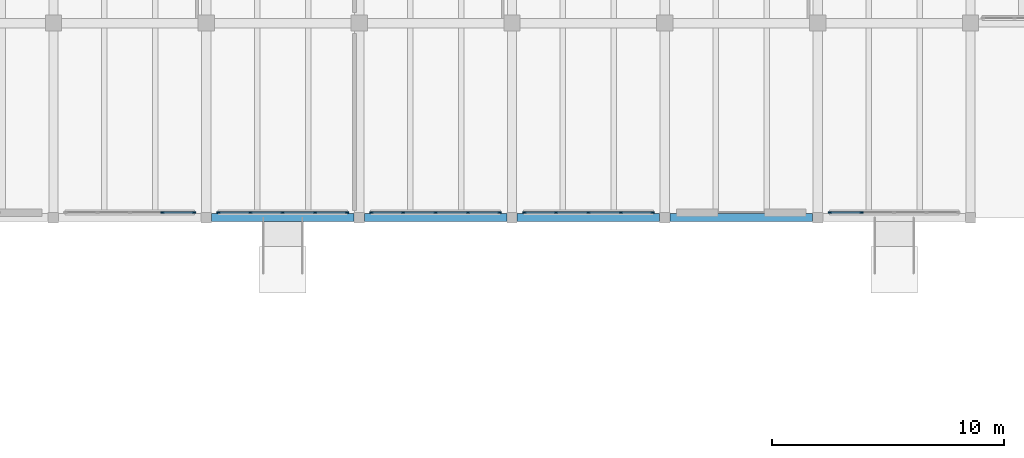
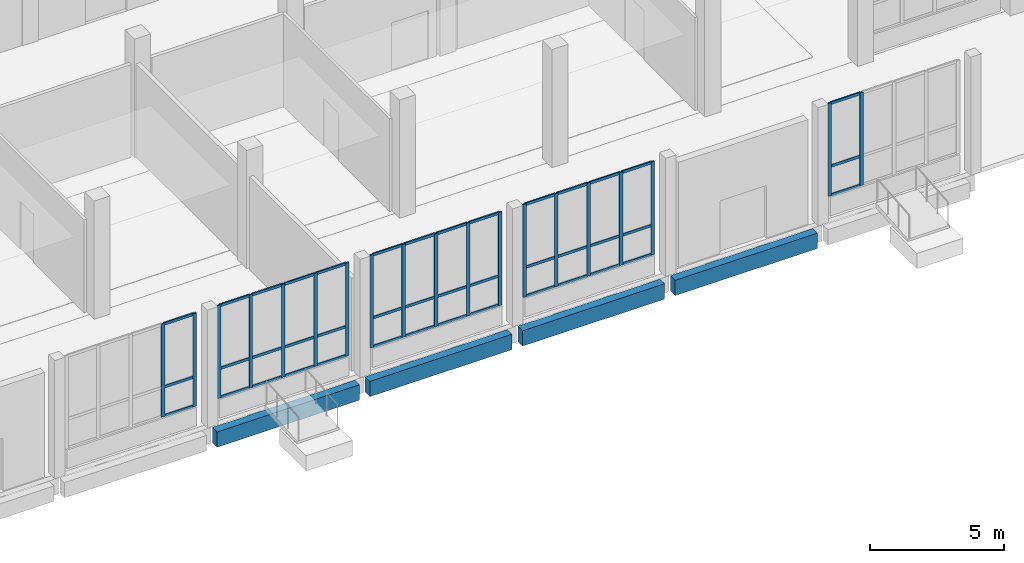
# One storey, part 11 of 64: 61 members, 4 beams, 5 elements without a shape of their own.
"""IFC4 building model written with IfcOpenShell, lengths in metres."""

from ifc_helpers import new_model, si_unit, direction, frame, origin, origin_2d, place, context, subcontext, project, spatial, rectangle, extrude, material, material_profile, profile_set, type_object, element, aggregate, save


model = new_model("IFC4")

# Units and contexts
model_context = context("Model", 3, precision=1e-05, world=origin(), true_north=direction((0.0, 1.0)))
body_context = subcontext(model_context, "Body", "Model", "MODEL_VIEW")
ifc_project = project(units=[si_unit("LENGTHUNIT", "METRE"), si_unit("AREAUNIT", "SQUARE_METRE"), si_unit("VOLUMEUNIT", "CUBIC_METRE"), si_unit("PLANEANGLEUNIT", "RADIAN"), si_unit("MASSUNIT", "GRAM", prefix="KILO")], contexts=[model_context])

# Site, building, storey
site_placement = place(None, origin())
site = spatial("IfcSite", under=ifc_project, at=site_placement, CompositionType="ELEMENT")
building_placement = place(site_placement, origin())
building = spatial("IfcBuilding", under=site, at=building_placement, Name="Qaldarim Faculty of Natural and Applied Sciences", CompositionType="ELEMENT")
storey_placement = place(building_placement, origin())
storey = spatial("IfcBuildingStorey", under=building, at=storey_placement, Name="L00", CompositionType="ELEMENT", Elevation=0.0)

# Curtain wall, members
ifc_material_1 = material(Name="Anodised aluminium AW-6063", Category="aluminium")
curtain_wall_type = type_object("IfcCurtainWallType", Name="CurtainWallSystem-M1400", PredefinedType="USERDEFINED", material=ifc_material_1)
curtain_wall_1_placement = place(storey_placement, origin())
curtain_wall_1 = element("IfcCurtainWall", 1, at=curtain_wall_1_placement, inside=storey, type_object=curtain_wall_type, Name="Curtain wall CW-V4RIB-L00-X10", ObjectType="STICK CURTAIN WALL", PredefinedType="USERDEFINED")
ifc_material_profile_1 = material_profile(ifc_material_1, rectangle(XDim=0.06005859375, YDim=0.14990234375, at=origin_2d()), Name="ALU-M60x150")
ifc_profile_set_1 = profile_set([ifc_material_profile_1], Name="Anodised aluminium AW-6063")
member_type_1 = type_object("IfcMemberType", Name="Mullion-ALU60x150", PredefinedType="MULLION", material=ifc_profile_set_1)
member_1_placement = place(storey_placement, frame((64.10009765625, 92.6201171875, 0.85009765625), z_axis=(0.0, 0.0, 1.0), x_axis=(0.0, 1.0, 0.0)))
member_1 = element("IfcMember", 2, at=member_1_placement, type_object=member_type_1, Name="Mullion 4 of CW-V4RIB-L00-X10", PredefinedType="MULLION", context=body_context, shape_type="SweptSolid", body=[
    extrude(rectangle(XDim=0.06005859375, YDim=0.14990234375, at=origin_2d()), origin(), (0.0, 0.0, 1.0), 4.25),
])
member_2_placement = place(storey_placement, frame((65.469970703125, 92.6201171875, 0.85009765625), z_axis=(0.0, 0.0, 1.0), x_axis=(0.0, 1.0, 0.0)))
member_2 = element("IfcMember", 3, at=member_2_placement, type_object=member_type_1, Name="Mullion 5 of CW-V4RIB-L00-X10", PredefinedType="MULLION", context=body_context, shape_type="SweptSolid", body=[
    extrude(rectangle(XDim=0.06005859375, YDim=0.14990234375, at=origin_2d()), origin(), (0.0, 0.0, 1.0), 4.25),
])

curtain_wall_2_placement = place(storey_placement, origin())
curtain_wall_2 = element("IfcCurtainWall", 4, at=curtain_wall_2_placement, inside=storey, type_object=curtain_wall_type, Name="Curtain wall CW-V4RIB-L00-X11", ObjectType="STICK CURTAIN WALL", PredefinedType="USERDEFINED")
member_3_placement = place(storey_placement, frame((66.530029296875, 92.6201171875, 0.85009765625), z_axis=(0.0, 0.0, 1.0), x_axis=(0.0, 1.0, 0.0)))
member_3 = element("IfcMember", 5, at=member_3_placement, type_object=member_type_1, Name="Mullion 1 of CW-V4RIB-L00-X11", PredefinedType="MULLION", context=body_context, shape_type="SweptSolid", body=[
    extrude(rectangle(XDim=0.06005859375, YDim=0.14990234375, at=origin_2d()), origin(), (0.0, 0.0, 1.0), 4.25),
])
member_4_placement = place(storey_placement, frame((67.89990234375, 92.6201171875, 0.85009765625), z_axis=(0.0, 0.0, 1.0), x_axis=(0.0, 1.0, 0.0)))
member_4 = element("IfcMember", 6, at=member_4_placement, type_object=member_type_1, Name="Mullion 2 of CW-V4RIB-L00-X11", PredefinedType="MULLION", context=body_context, shape_type="SweptSolid", body=[
    extrude(rectangle(XDim=0.06005859375, YDim=0.14990234375, at=origin_2d()), origin(), (0.0, 0.0, 1.0), 4.25),
])
member_5_placement = place(storey_placement, frame((69.300048828125, 92.6201171875, 0.85009765625), z_axis=(0.0, 0.0, 1.0), x_axis=(0.0, 1.0, 0.0)))
member_5 = element("IfcMember", 7, at=member_5_placement, type_object=member_type_1, Name="Mullion 3 of CW-V4RIB-L00-X11", PredefinedType="MULLION", context=body_context, shape_type="SweptSolid", body=[
    extrude(rectangle(XDim=0.06005859375, YDim=0.14990234375, at=origin_2d()), origin(), (0.0, 0.0, 1.0), 4.25),
])
member_6_placement = place(storey_placement, frame((70.699951171875, 92.6201171875, 0.85009765625), z_axis=(0.0, 0.0, 1.0), x_axis=(0.0, 1.0, 0.0)))
member_6 = element("IfcMember", 8, at=member_6_placement, type_object=member_type_1, Name="Mullion 4 of CW-V4RIB-L00-X11", PredefinedType="MULLION", context=body_context, shape_type="SweptSolid", body=[
    extrude(rectangle(XDim=0.06005859375, YDim=0.14990234375, at=origin_2d()), origin(), (0.0, 0.0, 1.0), 4.25),
])
member_7_placement = place(storey_placement, frame((72.070068359375, 92.6201171875, 0.85009765625), z_axis=(0.0, 0.0, 1.0), x_axis=(0.0, 1.0, 0.0)))
member_7 = element("IfcMember", 9, at=member_7_placement, type_object=member_type_1, Name="Mullion 5 of CW-V4RIB-L00-X11", PredefinedType="MULLION", context=body_context, shape_type="SweptSolid", body=[
    extrude(rectangle(XDim=0.06005859375, YDim=0.14990234375, at=origin_2d()), origin(), (0.0, 0.0, 1.0), 4.25),
])

curtain_wall_3_placement = place(storey_placement, origin())
curtain_wall_3 = element("IfcCurtainWall", 10, at=curtain_wall_3_placement, inside=storey, type_object=curtain_wall_type, Name="Curtain wall CW-V4RIB-L00-X12", ObjectType="STICK CURTAIN WALL", PredefinedType="USERDEFINED")
member_8_placement = place(storey_placement, frame((73.1298828125, 92.6201171875, 0.85009765625), z_axis=(0.0, 0.0, 1.0), x_axis=(0.0, 1.0, 0.0)))
member_8 = element("IfcMember", 11, at=member_8_placement, type_object=member_type_1, Name="Mullion 1 of CW-V4RIB-L00-X12", PredefinedType="MULLION", context=body_context, shape_type="SweptSolid", body=[
    extrude(rectangle(XDim=0.06005859375, YDim=0.14990234375, at=origin_2d()), origin(), (0.0, 0.0, 1.0), 4.25),
])
member_9_placement = place(storey_placement, frame((74.5, 92.6201171875, 0.85009765625), z_axis=(0.0, 0.0, 1.0), x_axis=(0.0, 1.0, 0.0)))
member_9 = element("IfcMember", 12, at=member_9_placement, type_object=member_type_1, Name="Mullion 2 of CW-V4RIB-L00-X12", PredefinedType="MULLION", context=body_context, shape_type="SweptSolid", body=[
    extrude(rectangle(XDim=0.06005859375, YDim=0.14990234375, at=origin_2d()), origin(), (0.0, 0.0, 1.0), 4.25),
])
member_10_placement = place(storey_placement, frame((75.89990234375, 92.6201171875, 0.85009765625), z_axis=(0.0, 0.0, 1.0), x_axis=(0.0, 1.0, 0.0)))
member_10 = element("IfcMember", 13, at=member_10_placement, type_object=member_type_1, Name="Mullion 3 of CW-V4RIB-L00-X12", PredefinedType="MULLION", context=body_context, shape_type="SweptSolid", body=[
    extrude(rectangle(XDim=0.06005859375, YDim=0.14990234375, at=origin_2d()), origin(), (0.0, 0.0, 1.0), 4.25),
])
member_11_placement = place(storey_placement, frame((77.300048828125, 92.6201171875, 0.85009765625), z_axis=(0.0, 0.0, 1.0), x_axis=(0.0, 1.0, 0.0)))
member_11 = element("IfcMember", 14, at=member_11_placement, type_object=member_type_1, Name="Mullion 4 of CW-V4RIB-L00-X12", PredefinedType="MULLION", context=body_context, shape_type="SweptSolid", body=[
    extrude(rectangle(XDim=0.06005859375, YDim=0.14990234375, at=origin_2d()), origin(), (0.0, 0.0, 1.0), 4.25),
])
member_12_placement = place(storey_placement, frame((78.669921875, 92.6201171875, 0.85009765625), z_axis=(0.0, 0.0, 1.0), x_axis=(0.0, 1.0, 0.0)))
member_12 = element("IfcMember", 15, at=member_12_placement, type_object=member_type_1, Name="Mullion 5 of CW-V4RIB-L00-X12", PredefinedType="MULLION", context=body_context, shape_type="SweptSolid", body=[
    extrude(rectangle(XDim=0.06005859375, YDim=0.14990234375, at=origin_2d()), origin(), (0.0, 0.0, 1.0), 4.25),
])

curtain_wall_4_placement = place(storey_placement, origin())
curtain_wall_4 = element("IfcCurtainWall", 16, at=curtain_wall_4_placement, inside=storey, type_object=curtain_wall_type, Name="Curtain wall CW-V4RIB-L00-X13", ObjectType="STICK CURTAIN WALL", PredefinedType="USERDEFINED")
member_13_placement = place(storey_placement, frame((79.72998046875, 92.6201171875, 0.85009765625), z_axis=(0.0, 0.0, 1.0), x_axis=(0.0, 1.0, 0.0)))
member_13 = element("IfcMember", 17, at=member_13_placement, type_object=member_type_1, Name="Mullion 1 of CW-V4RIB-L00-X13", PredefinedType="MULLION", context=body_context, shape_type="SweptSolid", body=[
    extrude(rectangle(XDim=0.06005859375, YDim=0.14990234375, at=origin_2d()), origin(), (0.0, 0.0, 1.0), 4.25),
])
member_14_placement = place(storey_placement, frame((81.10009765625, 92.6201171875, 0.85009765625), z_axis=(0.0, 0.0, 1.0), x_axis=(0.0, 1.0, 0.0)))
member_14 = element("IfcMember", 18, at=member_14_placement, type_object=member_type_1, Name="Mullion 2 of CW-V4RIB-L00-X13", PredefinedType="MULLION", context=body_context, shape_type="SweptSolid", body=[
    extrude(rectangle(XDim=0.06005859375, YDim=0.14990234375, at=origin_2d()), origin(), (0.0, 0.0, 1.0), 4.25),
])
member_15_placement = place(storey_placement, frame((82.5, 92.6201171875, 0.85009765625), z_axis=(0.0, 0.0, 1.0), x_axis=(0.0, 1.0, 0.0)))
member_15 = element("IfcMember", 19, at=member_15_placement, type_object=member_type_1, Name="Mullion 3 of CW-V4RIB-L00-X13", PredefinedType="MULLION", context=body_context, shape_type="SweptSolid", body=[
    extrude(rectangle(XDim=0.06005859375, YDim=0.14990234375, at=origin_2d()), origin(), (0.0, 0.0, 1.0), 4.25),
])
member_16_placement = place(storey_placement, frame((83.89990234375, 92.6201171875, 0.85009765625), z_axis=(0.0, 0.0, 1.0), x_axis=(0.0, 1.0, 0.0)))
member_16 = element("IfcMember", 20, at=member_16_placement, type_object=member_type_1, Name="Mullion 4 of CW-V4RIB-L00-X13", PredefinedType="MULLION", context=body_context, shape_type="SweptSolid", body=[
    extrude(rectangle(XDim=0.06005859375, YDim=0.14990234375, at=origin_2d()), origin(), (0.0, 0.0, 1.0), 4.25),
])
member_17_placement = place(storey_placement, frame((85.27001953125, 92.6201171875, 0.85009765625), z_axis=(0.0, 0.0, 1.0), x_axis=(0.0, 1.0, 0.0)))
member_17 = element("IfcMember", 21, at=member_17_placement, type_object=member_type_1, Name="Mullion 5 of CW-V4RIB-L00-X13", PredefinedType="MULLION", context=body_context, shape_type="SweptSolid", body=[
    extrude(rectangle(XDim=0.06005859375, YDim=0.14990234375, at=origin_2d()), origin(), (0.0, 0.0, 1.0), 4.25),
])

curtain_wall_5_placement = place(storey_placement, origin())
curtain_wall_5 = element("IfcCurtainWall", 22, at=curtain_wall_5_placement, inside=storey, type_object=curtain_wall_type, Name="Curtain wall CW-V4RIB-L00-X15", ObjectType="STICK CURTAIN WALL", PredefinedType="USERDEFINED")
member_18_placement = place(storey_placement, frame((92.929931640625, 92.6201171875, 0.85009765625), z_axis=(0.0, 0.0, 1.0), x_axis=(0.0, 1.0, 0.0)))
member_18 = element("IfcMember", 23, at=member_18_placement, type_object=member_type_1, Name="Mullion 1 of CW-V4RIB-L00-X15", PredefinedType="MULLION", context=body_context, shape_type="SweptSolid", body=[
    extrude(rectangle(XDim=0.06005859375, YDim=0.14990234375, at=origin_2d()), origin(), (0.0, 0.0, 1.0), 4.25),
])
member_19_placement = place(storey_placement, frame((94.300048828125, 92.6201171875, 0.85009765625), z_axis=(0.0, 0.0, 1.0), x_axis=(0.0, 1.0, 0.0)))
member_19 = element("IfcMember", 24, at=member_19_placement, type_object=member_type_1, Name="Mullion 2 of CW-V4RIB-L00-X15", PredefinedType="MULLION", context=body_context, shape_type="SweptSolid", body=[
    extrude(rectangle(XDim=0.06005859375, YDim=0.14990234375, at=origin_2d()), origin(), (0.0, 0.0, 1.0), 4.25),
])

# Beams
ifc_material_2 = material(Name="Concrete C40/50", Category="concrete")
ifc_material_profile_2 = material_profile(ifc_material_2, rectangle(XDim=0.35009765625, YDim=0.699951171875, at=origin_2d()), Name="RC-B350x700")
ifc_profile_set_2 = profile_set([ifc_material_profile_2], Name="Concrete C40/50")
beam_type = type_object("IfcBeamType", Name="PrimaryGirder-RC350x700", PredefinedType="BEAM", material=ifc_profile_set_2)
beam_1_placement = place(storey_placement, frame((66.22509765625, 92.39990234375, -0.7099609375), z_axis=(1.0, 0.0, 0.0), x_axis=(0.0, 1.0, 0.0)))
element("IfcBeam", 25, at=beam_1_placement, inside=storey, type_object=beam_type, Name="Beam RC-B350x700 B01 X11-X12/Y12", PredefinedType="BEAM", context=body_context, shape_type="SweptSolid", body=[
    extrude(rectangle(XDim=0.35009765625, YDim=0.699951171875, at=origin_2d()), origin(), (0.0, 0.0, 1.0), 6.14990234375),
])
beam_2_placement = place(storey_placement, frame((72.824951171875, 92.39990234375, -0.7099609375), z_axis=(1.0, 0.0, 0.0), x_axis=(0.0, 1.0, 0.0)))
element("IfcBeam", 26, at=beam_2_placement, inside=storey, type_object=beam_type, Name="Beam RC-B350x700 B01 X12-X13/Y12", PredefinedType="BEAM", context=body_context, shape_type="SweptSolid", body=[
    extrude(rectangle(XDim=0.35009765625, YDim=0.699951171875, at=origin_2d()), origin(), (0.0, 0.0, 1.0), 6.150146484375),
])
beam_3_placement = place(storey_placement, frame((79.425048828125, 92.39990234375, -0.7099609375), z_axis=(1.0, 0.0, 0.0), x_axis=(0.0, 1.0, 0.0)))
element("IfcBeam", 27, at=beam_3_placement, inside=storey, type_object=beam_type, Name="Beam RC-B350x700 B01 X13-X14/Y12", PredefinedType="BEAM", context=body_context, shape_type="SweptSolid", body=[
    extrude(rectangle(XDim=0.35009765625, YDim=0.699951171875, at=origin_2d()), origin(), (0.0, 0.0, 1.0), 6.14990234375),
])
beam_4_placement = place(storey_placement, frame((86.02490234375, 92.39990234375, -0.7099609375), z_axis=(1.0, 0.0, 0.0), x_axis=(0.0, 1.0, 0.0)))
element("IfcBeam", 28, at=beam_4_placement, inside=storey, type_object=beam_type, Name="Beam RC-B350x700 B01 X14-X15/Y12", PredefinedType="BEAM", context=body_context, shape_type="SweptSolid", body=[
    extrude(rectangle(XDim=0.35009765625, YDim=0.699951171875, at=origin_2d()), origin(), (0.0, 0.0, 1.0), 6.150146484375),
])

# Member
ifc_material_profile_3 = material_profile(ifc_material_1, rectangle(XDim=0.06005859375, YDim=0.1201171875, at=origin_2d()), Name="ALU-T60x120")
ifc_profile_set_3 = profile_set([ifc_material_profile_3], Name="Anodised aluminium AW-6063")
member_type_2 = type_object("IfcMemberType", Name="Transom-ALU60x120", PredefinedType="USERDEFINED", material=ifc_profile_set_3)
member_20_placement = place(storey_placement, frame((64.1298828125, 92.6201171875, 0.8798828125), z_axis=(1.0, 0.0, 0.0), x_axis=(0.0, 1.0, 0.0)))
member_20 = element("IfcMember", 29, at=member_20_placement, type_object=member_type_2, Name="Transom 4-1 of CW-V4RIB-L00-X10", ObjectType="TRANSOM", PredefinedType="USERDEFINED", context=body_context, shape_type="SweptSolid", body=[
    extrude(rectangle(XDim=0.06005859375, YDim=0.1201171875, at=origin_2d()), origin(), (0.0, 0.0, 1.0), 1.31005859375),
])

member_21_placement = place(storey_placement, frame((64.1298828125, 92.6201171875, 2.199951171875), z_axis=(1.0, 0.0, 0.0), x_axis=(0.0, 1.0, 0.0)))
member_21 = element("IfcMember", 30, at=member_21_placement, type_object=member_type_2, Name="Transom 4-2 of CW-V4RIB-L00-X10", ObjectType="TRANSOM", PredefinedType="USERDEFINED", context=body_context, shape_type="SweptSolid", body=[
    extrude(rectangle(XDim=0.06005859375, YDim=0.1201171875, at=origin_2d()), origin(), (0.0, 0.0, 1.0), 1.31005859375),
])

member_22_placement = place(storey_placement, frame((64.1298828125, 92.6201171875, 5.070068359375), z_axis=(1.0, 0.0, 0.0), x_axis=(0.0, 1.0, 0.0)))
member_22 = element("IfcMember", 31, at=member_22_placement, type_object=member_type_2, Name="Transom 4-3 of CW-V4RIB-L00-X10", ObjectType="TRANSOM", PredefinedType="USERDEFINED", context=body_context, shape_type="SweptSolid", body=[
    extrude(rectangle(XDim=0.06005859375, YDim=0.1201171875, at=origin_2d()), origin(), (0.0, 0.0, 1.0), 1.31005859375),
])

aggregate(curtain_wall_1, [member_1, member_2, member_20, member_21, member_22])

member_23_placement = place(storey_placement, frame((66.56005859375, 92.6201171875, 0.8798828125), z_axis=(1.0, 0.0, 0.0), x_axis=(0.0, 1.0, 0.0)))
member_23 = element("IfcMember", 32, at=member_23_placement, type_object=member_type_2, Name="Transom 1-1 of CW-V4RIB-L00-X11", ObjectType="TRANSOM", PredefinedType="USERDEFINED", context=body_context, shape_type="SweptSolid", body=[
    extrude(rectangle(XDim=0.06005859375, YDim=0.1201171875, at=origin_2d()), origin(), (0.0, 0.0, 1.0), 1.31005859375),
])

member_24_placement = place(storey_placement, frame((66.56005859375, 92.6201171875, 2.199951171875), z_axis=(1.0, 0.0, 0.0), x_axis=(0.0, 1.0, 0.0)))
member_24 = element("IfcMember", 33, at=member_24_placement, type_object=member_type_2, Name="Transom 1-2 of CW-V4RIB-L00-X11", ObjectType="TRANSOM", PredefinedType="USERDEFINED", context=body_context, shape_type="SweptSolid", body=[
    extrude(rectangle(XDim=0.06005859375, YDim=0.1201171875, at=origin_2d()), origin(), (0.0, 0.0, 1.0), 1.31005859375),
])

member_25_placement = place(storey_placement, frame((66.56005859375, 92.6201171875, 5.070068359375), z_axis=(1.0, 0.0, 0.0), x_axis=(0.0, 1.0, 0.0)))
member_25 = element("IfcMember", 34, at=member_25_placement, type_object=member_type_2, Name="Transom 1-3 of CW-V4RIB-L00-X11", ObjectType="TRANSOM", PredefinedType="USERDEFINED", context=body_context, shape_type="SweptSolid", body=[
    extrude(rectangle(XDim=0.06005859375, YDim=0.1201171875, at=origin_2d()), origin(), (0.0, 0.0, 1.0), 1.31005859375),
])

member_26_placement = place(storey_placement, frame((67.929931640625, 92.6201171875, 0.8798828125), z_axis=(1.0, 0.0, 0.0), x_axis=(0.0, 1.0, 0.0)))
member_26 = element("IfcMember", 35, at=member_26_placement, type_object=member_type_2, Name="Transom 2-1 of CW-V4RIB-L00-X11", ObjectType="TRANSOM", PredefinedType="USERDEFINED", context=body_context, shape_type="SweptSolid", body=[
    extrude(rectangle(XDim=0.06005859375, YDim=0.1201171875, at=origin_2d()), origin(), (0.0, 0.0, 1.0), 1.340087890625),
])

member_27_placement = place(storey_placement, frame((67.929931640625, 92.6201171875, 2.199951171875), z_axis=(1.0, 0.0, 0.0), x_axis=(0.0, 1.0, 0.0)))
member_27 = element("IfcMember", 36, at=member_27_placement, type_object=member_type_2, Name="Transom 2-2 of CW-V4RIB-L00-X11", ObjectType="TRANSOM", PredefinedType="USERDEFINED", context=body_context, shape_type="SweptSolid", body=[
    extrude(rectangle(XDim=0.06005859375, YDim=0.1201171875, at=origin_2d()), origin(), (0.0, 0.0, 1.0), 1.340087890625),
])

member_28_placement = place(storey_placement, frame((67.929931640625, 92.6201171875, 5.070068359375), z_axis=(1.0, 0.0, 0.0), x_axis=(0.0, 1.0, 0.0)))
member_28 = element("IfcMember", 37, at=member_28_placement, type_object=member_type_2, Name="Transom 2-3 of CW-V4RIB-L00-X11", ObjectType="TRANSOM", PredefinedType="USERDEFINED", context=body_context, shape_type="SweptSolid", body=[
    extrude(rectangle(XDim=0.06005859375, YDim=0.1201171875, at=origin_2d()), origin(), (0.0, 0.0, 1.0), 1.340087890625),
])

member_29_placement = place(storey_placement, frame((69.330078125, 92.6201171875, 0.8798828125), z_axis=(1.0, 0.0, 0.0), x_axis=(0.0, 1.0, 0.0)))
member_29 = element("IfcMember", 38, at=member_29_placement, type_object=member_type_2, Name="Transom 3-1 of CW-V4RIB-L00-X11", ObjectType="TRANSOM", PredefinedType="USERDEFINED", context=body_context, shape_type="SweptSolid", body=[
    extrude(rectangle(XDim=0.06005859375, YDim=0.1201171875, at=origin_2d()), origin(), (0.0, 0.0, 1.0), 1.33984375),
])

member_30_placement = place(storey_placement, frame((69.330078125, 92.6201171875, 2.199951171875), z_axis=(1.0, 0.0, 0.0), x_axis=(0.0, 1.0, 0.0)))
member_30 = element("IfcMember", 39, at=member_30_placement, type_object=member_type_2, Name="Transom 3-2 of CW-V4RIB-L00-X11", ObjectType="TRANSOM", PredefinedType="USERDEFINED", context=body_context, shape_type="SweptSolid", body=[
    extrude(rectangle(XDim=0.06005859375, YDim=0.1201171875, at=origin_2d()), origin(), (0.0, 0.0, 1.0), 1.33984375),
])

member_31_placement = place(storey_placement, frame((69.330078125, 92.6201171875, 5.070068359375), z_axis=(1.0, 0.0, 0.0), x_axis=(0.0, 1.0, 0.0)))
member_31 = element("IfcMember", 40, at=member_31_placement, type_object=member_type_2, Name="Transom 3-3 of CW-V4RIB-L00-X11", ObjectType="TRANSOM", PredefinedType="USERDEFINED", context=body_context, shape_type="SweptSolid", body=[
    extrude(rectangle(XDim=0.06005859375, YDim=0.1201171875, at=origin_2d()), origin(), (0.0, 0.0, 1.0), 1.33984375),
])

member_32_placement = place(storey_placement, frame((70.72998046875, 92.6201171875, 0.8798828125), z_axis=(1.0, 0.0, 0.0), x_axis=(0.0, 1.0, 0.0)))
member_32 = element("IfcMember", 41, at=member_32_placement, type_object=member_type_2, Name="Transom 4-1 of CW-V4RIB-L00-X11", ObjectType="TRANSOM", PredefinedType="USERDEFINED", context=body_context, shape_type="SweptSolid", body=[
    extrude(rectangle(XDim=0.06005859375, YDim=0.1201171875, at=origin_2d()), origin(), (0.0, 0.0, 1.0), 1.31005859375),
])

member_33_placement = place(storey_placement, frame((70.72998046875, 92.6201171875, 2.199951171875), z_axis=(1.0, 0.0, 0.0), x_axis=(0.0, 1.0, 0.0)))
member_33 = element("IfcMember", 42, at=member_33_placement, type_object=member_type_2, Name="Transom 4-2 of CW-V4RIB-L00-X11", ObjectType="TRANSOM", PredefinedType="USERDEFINED", context=body_context, shape_type="SweptSolid", body=[
    extrude(rectangle(XDim=0.06005859375, YDim=0.1201171875, at=origin_2d()), origin(), (0.0, 0.0, 1.0), 1.31005859375),
])

member_34_placement = place(storey_placement, frame((70.72998046875, 92.6201171875, 5.070068359375), z_axis=(1.0, 0.0, 0.0), x_axis=(0.0, 1.0, 0.0)))
member_34 = element("IfcMember", 43, at=member_34_placement, type_object=member_type_2, Name="Transom 4-3 of CW-V4RIB-L00-X11", ObjectType="TRANSOM", PredefinedType="USERDEFINED", context=body_context, shape_type="SweptSolid", body=[
    extrude(rectangle(XDim=0.06005859375, YDim=0.1201171875, at=origin_2d()), origin(), (0.0, 0.0, 1.0), 1.31005859375),
])

aggregate(curtain_wall_2, [member_3, member_4, member_5, member_6, member_7, member_23, member_24, member_25, member_26, member_27, member_28, member_29, member_30, member_31, member_32, member_33, member_34])

member_35_placement = place(storey_placement, frame((73.159912109375, 92.6201171875, 0.8798828125), z_axis=(1.0, 0.0, 0.0), x_axis=(0.0, 1.0, 0.0)))
member_35 = element("IfcMember", 44, at=member_35_placement, type_object=member_type_2, Name="Transom 1-1 of CW-V4RIB-L00-X12", ObjectType="TRANSOM", PredefinedType="USERDEFINED", context=body_context, shape_type="SweptSolid", body=[
    extrude(rectangle(XDim=0.06005859375, YDim=0.1201171875, at=origin_2d()), origin(), (0.0, 0.0, 1.0), 1.31005859375),
])

member_36_placement = place(storey_placement, frame((73.159912109375, 92.6201171875, 2.199951171875), z_axis=(1.0, 0.0, 0.0), x_axis=(0.0, 1.0, 0.0)))
member_36 = element("IfcMember", 45, at=member_36_placement, type_object=member_type_2, Name="Transom 1-2 of CW-V4RIB-L00-X12", ObjectType="TRANSOM", PredefinedType="USERDEFINED", context=body_context, shape_type="SweptSolid", body=[
    extrude(rectangle(XDim=0.06005859375, YDim=0.1201171875, at=origin_2d()), origin(), (0.0, 0.0, 1.0), 1.31005859375),
])

member_37_placement = place(storey_placement, frame((73.159912109375, 92.6201171875, 5.070068359375), z_axis=(1.0, 0.0, 0.0), x_axis=(0.0, 1.0, 0.0)))
member_37 = element("IfcMember", 46, at=member_37_placement, type_object=member_type_2, Name="Transom 1-3 of CW-V4RIB-L00-X12", ObjectType="TRANSOM", PredefinedType="USERDEFINED", context=body_context, shape_type="SweptSolid", body=[
    extrude(rectangle(XDim=0.06005859375, YDim=0.1201171875, at=origin_2d()), origin(), (0.0, 0.0, 1.0), 1.31005859375),
])

member_38_placement = place(storey_placement, frame((74.530029296875, 92.6201171875, 0.8798828125), z_axis=(1.0, 0.0, 0.0), x_axis=(0.0, 1.0, 0.0)))
member_38 = element("IfcMember", 47, at=member_38_placement, type_object=member_type_2, Name="Transom 2-1 of CW-V4RIB-L00-X12", ObjectType="TRANSOM", PredefinedType="USERDEFINED", context=body_context, shape_type="SweptSolid", body=[
    extrude(rectangle(XDim=0.06005859375, YDim=0.1201171875, at=origin_2d()), origin(), (0.0, 0.0, 1.0), 1.340087890625),
])

member_39_placement = place(storey_placement, frame((74.530029296875, 92.6201171875, 2.199951171875), z_axis=(1.0, 0.0, 0.0), x_axis=(0.0, 1.0, 0.0)))
member_39 = element("IfcMember", 48, at=member_39_placement, type_object=member_type_2, Name="Transom 2-2 of CW-V4RIB-L00-X12", ObjectType="TRANSOM", PredefinedType="USERDEFINED", context=body_context, shape_type="SweptSolid", body=[
    extrude(rectangle(XDim=0.06005859375, YDim=0.1201171875, at=origin_2d()), origin(), (0.0, 0.0, 1.0), 1.340087890625),
])

member_40_placement = place(storey_placement, frame((74.530029296875, 92.6201171875, 5.070068359375), z_axis=(1.0, 0.0, 0.0), x_axis=(0.0, 1.0, 0.0)))
member_40 = element("IfcMember", 49, at=member_40_placement, type_object=member_type_2, Name="Transom 2-3 of CW-V4RIB-L00-X12", ObjectType="TRANSOM", PredefinedType="USERDEFINED", context=body_context, shape_type="SweptSolid", body=[
    extrude(rectangle(XDim=0.06005859375, YDim=0.1201171875, at=origin_2d()), origin(), (0.0, 0.0, 1.0), 1.340087890625),
])

member_41_placement = place(storey_placement, frame((75.929931640625, 92.6201171875, 0.8798828125), z_axis=(1.0, 0.0, 0.0), x_axis=(0.0, 1.0, 0.0)))
member_41 = element("IfcMember", 50, at=member_41_placement, type_object=member_type_2, Name="Transom 3-1 of CW-V4RIB-L00-X12", ObjectType="TRANSOM", PredefinedType="USERDEFINED", context=body_context, shape_type="SweptSolid", body=[
    extrude(rectangle(XDim=0.06005859375, YDim=0.1201171875, at=origin_2d()), origin(), (0.0, 0.0, 1.0), 1.340087890625),
])

member_42_placement = place(storey_placement, frame((75.929931640625, 92.6201171875, 2.199951171875), z_axis=(1.0, 0.0, 0.0), x_axis=(0.0, 1.0, 0.0)))
member_42 = element("IfcMember", 51, at=member_42_placement, type_object=member_type_2, Name="Transom 3-2 of CW-V4RIB-L00-X12", ObjectType="TRANSOM", PredefinedType="USERDEFINED", context=body_context, shape_type="SweptSolid", body=[
    extrude(rectangle(XDim=0.06005859375, YDim=0.1201171875, at=origin_2d()), origin(), (0.0, 0.0, 1.0), 1.340087890625),
])

member_43_placement = place(storey_placement, frame((75.929931640625, 92.6201171875, 5.070068359375), z_axis=(1.0, 0.0, 0.0), x_axis=(0.0, 1.0, 0.0)))
member_43 = element("IfcMember", 52, at=member_43_placement, type_object=member_type_2, Name="Transom 3-3 of CW-V4RIB-L00-X12", ObjectType="TRANSOM", PredefinedType="USERDEFINED", context=body_context, shape_type="SweptSolid", body=[
    extrude(rectangle(XDim=0.06005859375, YDim=0.1201171875, at=origin_2d()), origin(), (0.0, 0.0, 1.0), 1.340087890625),
])

member_44_placement = place(storey_placement, frame((77.330078125, 92.6201171875, 0.8798828125), z_axis=(1.0, 0.0, 0.0), x_axis=(0.0, 1.0, 0.0)))
member_44 = element("IfcMember", 53, at=member_44_placement, type_object=member_type_2, Name="Transom 4-1 of CW-V4RIB-L00-X12", ObjectType="TRANSOM", PredefinedType="USERDEFINED", context=body_context, shape_type="SweptSolid", body=[
    extrude(rectangle(XDim=0.06005859375, YDim=0.1201171875, at=origin_2d()), origin(), (0.0, 0.0, 1.0), 1.309814453125),
])

member_45_placement = place(storey_placement, frame((77.330078125, 92.6201171875, 2.199951171875), z_axis=(1.0, 0.0, 0.0), x_axis=(0.0, 1.0, 0.0)))
member_45 = element("IfcMember", 54, at=member_45_placement, type_object=member_type_2, Name="Transom 4-2 of CW-V4RIB-L00-X12", ObjectType="TRANSOM", PredefinedType="USERDEFINED", context=body_context, shape_type="SweptSolid", body=[
    extrude(rectangle(XDim=0.06005859375, YDim=0.1201171875, at=origin_2d()), origin(), (0.0, 0.0, 1.0), 1.309814453125),
])

member_46_placement = place(storey_placement, frame((77.330078125, 92.6201171875, 5.070068359375), z_axis=(1.0, 0.0, 0.0), x_axis=(0.0, 1.0, 0.0)))
member_46 = element("IfcMember", 55, at=member_46_placement, type_object=member_type_2, Name="Transom 4-3 of CW-V4RIB-L00-X12", ObjectType="TRANSOM", PredefinedType="USERDEFINED", context=body_context, shape_type="SweptSolid", body=[
    extrude(rectangle(XDim=0.06005859375, YDim=0.1201171875, at=origin_2d()), origin(), (0.0, 0.0, 1.0), 1.309814453125),
])

aggregate(curtain_wall_3, [member_8, member_9, member_10, member_11, member_12, member_35, member_36, member_37, member_38, member_39, member_40, member_41, member_42, member_43, member_44, member_45, member_46])

member_47_placement = place(storey_placement, frame((79.760009765625, 92.6201171875, 0.8798828125), z_axis=(1.0, 0.0, 0.0), x_axis=(0.0, 1.0, 0.0)))
member_47 = element("IfcMember", 56, at=member_47_placement, type_object=member_type_2, Name="Transom 1-1 of CW-V4RIB-L00-X13", ObjectType="TRANSOM", PredefinedType="USERDEFINED", context=body_context, shape_type="SweptSolid", body=[
    extrude(rectangle(XDim=0.06005859375, YDim=0.1201171875, at=origin_2d()), origin(), (0.0, 0.0, 1.0), 1.31005859375),
])

member_48_placement = place(storey_placement, frame((79.760009765625, 92.6201171875, 2.199951171875), z_axis=(1.0, 0.0, 0.0), x_axis=(0.0, 1.0, 0.0)))
member_48 = element("IfcMember", 57, at=member_48_placement, type_object=member_type_2, Name="Transom 1-2 of CW-V4RIB-L00-X13", ObjectType="TRANSOM", PredefinedType="USERDEFINED", context=body_context, shape_type="SweptSolid", body=[
    extrude(rectangle(XDim=0.06005859375, YDim=0.1201171875, at=origin_2d()), origin(), (0.0, 0.0, 1.0), 1.31005859375),
])

member_49_placement = place(storey_placement, frame((79.760009765625, 92.6201171875, 5.070068359375), z_axis=(1.0, 0.0, 0.0), x_axis=(0.0, 1.0, 0.0)))
member_49 = element("IfcMember", 58, at=member_49_placement, type_object=member_type_2, Name="Transom 1-3 of CW-V4RIB-L00-X13", ObjectType="TRANSOM", PredefinedType="USERDEFINED", context=body_context, shape_type="SweptSolid", body=[
    extrude(rectangle(XDim=0.06005859375, YDim=0.1201171875, at=origin_2d()), origin(), (0.0, 0.0, 1.0), 1.31005859375),
])

member_50_placement = place(storey_placement, frame((81.1298828125, 92.6201171875, 0.8798828125), z_axis=(1.0, 0.0, 0.0), x_axis=(0.0, 1.0, 0.0)))
member_50 = element("IfcMember", 59, at=member_50_placement, type_object=member_type_2, Name="Transom 2-1 of CW-V4RIB-L00-X13", ObjectType="TRANSOM", PredefinedType="USERDEFINED", context=body_context, shape_type="SweptSolid", body=[
    extrude(rectangle(XDim=0.06005859375, YDim=0.1201171875, at=origin_2d()), origin(), (0.0, 0.0, 1.0), 1.340087890625),
])

member_51_placement = place(storey_placement, frame((81.1298828125, 92.6201171875, 2.199951171875), z_axis=(1.0, 0.0, 0.0), x_axis=(0.0, 1.0, 0.0)))
member_51 = element("IfcMember", 60, at=member_51_placement, type_object=member_type_2, Name="Transom 2-2 of CW-V4RIB-L00-X13", ObjectType="TRANSOM", PredefinedType="USERDEFINED", context=body_context, shape_type="SweptSolid", body=[
    extrude(rectangle(XDim=0.06005859375, YDim=0.1201171875, at=origin_2d()), origin(), (0.0, 0.0, 1.0), 1.340087890625),
])

member_52_placement = place(storey_placement, frame((81.1298828125, 92.6201171875, 5.070068359375), z_axis=(1.0, 0.0, 0.0), x_axis=(0.0, 1.0, 0.0)))
member_52 = element("IfcMember", 61, at=member_52_placement, type_object=member_type_2, Name="Transom 2-3 of CW-V4RIB-L00-X13", ObjectType="TRANSOM", PredefinedType="USERDEFINED", context=body_context, shape_type="SweptSolid", body=[
    extrude(rectangle(XDim=0.06005859375, YDim=0.1201171875, at=origin_2d()), origin(), (0.0, 0.0, 1.0), 1.340087890625),
])

member_53_placement = place(storey_placement, frame((82.530029296875, 92.6201171875, 0.8798828125), z_axis=(1.0, 0.0, 0.0), x_axis=(0.0, 1.0, 0.0)))
member_53 = element("IfcMember", 62, at=member_53_placement, type_object=member_type_2, Name="Transom 3-1 of CW-V4RIB-L00-X13", ObjectType="TRANSOM", PredefinedType="USERDEFINED", context=body_context, shape_type="SweptSolid", body=[
    extrude(rectangle(XDim=0.06005859375, YDim=0.1201171875, at=origin_2d()), origin(), (0.0, 0.0, 1.0), 1.340087890625),
])

member_54_placement = place(storey_placement, frame((82.530029296875, 92.6201171875, 2.199951171875), z_axis=(1.0, 0.0, 0.0), x_axis=(0.0, 1.0, 0.0)))
member_54 = element("IfcMember", 63, at=member_54_placement, type_object=member_type_2, Name="Transom 3-2 of CW-V4RIB-L00-X13", ObjectType="TRANSOM", PredefinedType="USERDEFINED", context=body_context, shape_type="SweptSolid", body=[
    extrude(rectangle(XDim=0.06005859375, YDim=0.1201171875, at=origin_2d()), origin(), (0.0, 0.0, 1.0), 1.340087890625),
])

member_55_placement = place(storey_placement, frame((82.530029296875, 92.6201171875, 5.070068359375), z_axis=(1.0, 0.0, 0.0), x_axis=(0.0, 1.0, 0.0)))
member_55 = element("IfcMember", 64, at=member_55_placement, type_object=member_type_2, Name="Transom 3-3 of CW-V4RIB-L00-X13", ObjectType="TRANSOM", PredefinedType="USERDEFINED", context=body_context, shape_type="SweptSolid", body=[
    extrude(rectangle(XDim=0.06005859375, YDim=0.1201171875, at=origin_2d()), origin(), (0.0, 0.0, 1.0), 1.340087890625),
])

member_56_placement = place(storey_placement, frame((83.929931640625, 92.6201171875, 0.8798828125), z_axis=(1.0, 0.0, 0.0), x_axis=(0.0, 1.0, 0.0)))
member_56 = element("IfcMember", 65, at=member_56_placement, type_object=member_type_2, Name="Transom 4-1 of CW-V4RIB-L00-X13", ObjectType="TRANSOM", PredefinedType="USERDEFINED", context=body_context, shape_type="SweptSolid", body=[
    extrude(rectangle(XDim=0.06005859375, YDim=0.1201171875, at=origin_2d()), origin(), (0.0, 0.0, 1.0), 1.31005859375),
])

member_57_placement = place(storey_placement, frame((83.929931640625, 92.6201171875, 2.199951171875), z_axis=(1.0, 0.0, 0.0), x_axis=(0.0, 1.0, 0.0)))
member_57 = element("IfcMember", 66, at=member_57_placement, type_object=member_type_2, Name="Transom 4-2 of CW-V4RIB-L00-X13", ObjectType="TRANSOM", PredefinedType="USERDEFINED", context=body_context, shape_type="SweptSolid", body=[
    extrude(rectangle(XDim=0.06005859375, YDim=0.1201171875, at=origin_2d()), origin(), (0.0, 0.0, 1.0), 1.31005859375),
])

member_58_placement = place(storey_placement, frame((83.929931640625, 92.6201171875, 5.070068359375), z_axis=(1.0, 0.0, 0.0), x_axis=(0.0, 1.0, 0.0)))
member_58 = element("IfcMember", 67, at=member_58_placement, type_object=member_type_2, Name="Transom 4-3 of CW-V4RIB-L00-X13", ObjectType="TRANSOM", PredefinedType="USERDEFINED", context=body_context, shape_type="SweptSolid", body=[
    extrude(rectangle(XDim=0.06005859375, YDim=0.1201171875, at=origin_2d()), origin(), (0.0, 0.0, 1.0), 1.31005859375),
])

aggregate(curtain_wall_4, [member_13, member_14, member_15, member_16, member_17, member_47, member_48, member_49, member_50, member_51, member_52, member_53, member_54, member_55, member_56, member_57, member_58])

member_59_placement = place(storey_placement, frame((92.9599609375, 92.6201171875, 0.8798828125), z_axis=(1.0, 0.0, 0.0), x_axis=(0.0, 1.0, 0.0)))
member_59 = element("IfcMember", 68, at=member_59_placement, type_object=member_type_2, Name="Transom 1-1 of CW-V4RIB-L00-X15", ObjectType="TRANSOM", PredefinedType="USERDEFINED", context=body_context, shape_type="SweptSolid", body=[
    extrude(rectangle(XDim=0.06005859375, YDim=0.1201171875, at=origin_2d()), origin(), (0.0, 0.0, 1.0), 1.31005859375),
])

member_60_placement = place(storey_placement, frame((92.9599609375, 92.6201171875, 2.199951171875), z_axis=(1.0, 0.0, 0.0), x_axis=(0.0, 1.0, 0.0)))
member_60 = element("IfcMember", 69, at=member_60_placement, type_object=member_type_2, Name="Transom 1-2 of CW-V4RIB-L00-X15", ObjectType="TRANSOM", PredefinedType="USERDEFINED", context=body_context, shape_type="SweptSolid", body=[
    extrude(rectangle(XDim=0.06005859375, YDim=0.1201171875, at=origin_2d()), origin(), (0.0, 0.0, 1.0), 1.31005859375),
])

member_61_placement = place(storey_placement, frame((92.9599609375, 92.6201171875, 5.070068359375), z_axis=(1.0, 0.0, 0.0), x_axis=(0.0, 1.0, 0.0)))
member_61 = element("IfcMember", 70, at=member_61_placement, type_object=member_type_2, Name="Transom 1-3 of CW-V4RIB-L00-X15", ObjectType="TRANSOM", PredefinedType="USERDEFINED", context=body_context, shape_type="SweptSolid", body=[
    extrude(rectangle(XDim=0.06005859375, YDim=0.1201171875, at=origin_2d()), origin(), (0.0, 0.0, 1.0), 1.31005859375),
])

aggregate(curtain_wall_5, [member_18, member_19, member_59, member_60, member_61])

save(model, "model.ifc")
